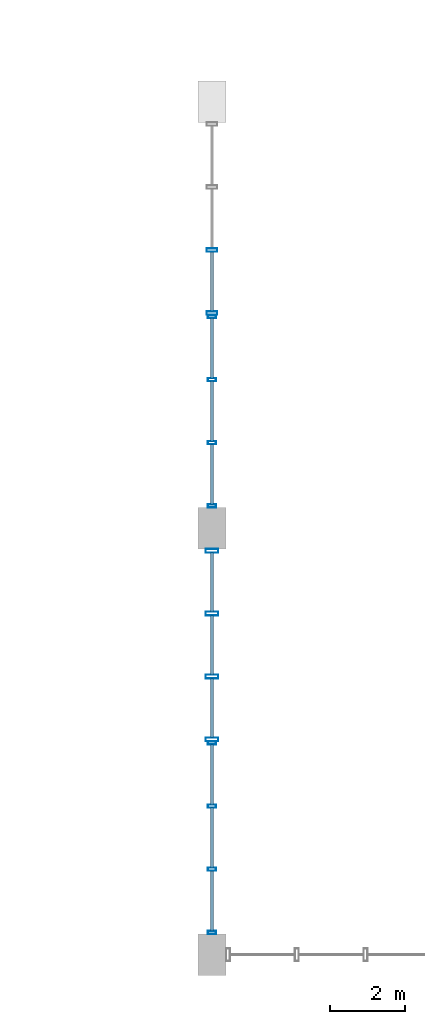
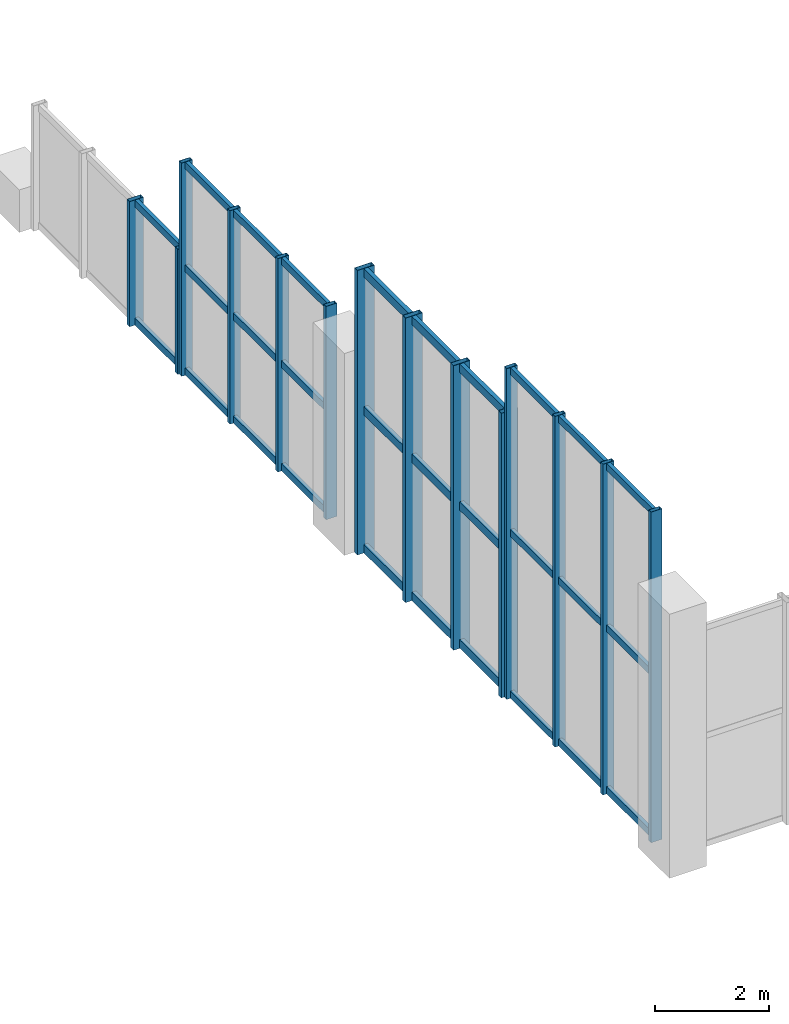
# One storey, part 4 of 28: 43 members, 4 elements without a shape of their own.
"""IFC4 building model written with IfcOpenShell, lengths in metres."""

from ifc_helpers import new_model, si_unit, direction, frame, origin, origin_2d, place, context, subcontext, project, spatial, hollow_rectangle, extrude, material, layer, layer_set, material_profile, profile_set, type_object, element, aggregate, save


model = new_model("IFC4")

# Units and contexts
model_context = context("Model", 3, precision=1e-05, world=origin(), true_north=direction((0.0, 1.0)))
body_context = subcontext(model_context, "Body", "Model", "MODEL_VIEW")
ifc_project = project(units=[si_unit("LENGTHUNIT", "METRE"), si_unit("AREAUNIT", "SQUARE_METRE"), si_unit("VOLUMEUNIT", "CUBIC_METRE"), si_unit("PLANEANGLEUNIT", "RADIAN"), si_unit("MASSUNIT", "GRAM", prefix="KILO"), si_unit("POWERUNIT", "WATT"), si_unit("THERMODYNAMICTEMPERATUREUNIT", "KELVIN")], contexts=[model_context])

# Site, building, storey
site_placement = place(None, origin())
site = spatial("IfcSite", under=ifc_project, at=site_placement, CompositionType="ELEMENT")
building_placement = place(site_placement, origin())
building = spatial("IfcBuilding", under=site, at=building_placement, Name="Kelmbourne Parkland Aquatics Centre", CompositionType="ELEMENT")
storey_placement = place(building_placement, frame((0.0, 0.0, 19.199951171875)))
storey = spatial("IfcBuildingStorey", under=building, at=storey_placement, Name="L04", CompositionType="ELEMENT", Elevation=19.199951171875)

# Curtain wall, members
ifc_material = material(Name="Thermally broken anodised aluminium framing", Category="aluminium")
ifc_layer_1 = layer(ifc_material, 0.179931640625)
ifc_layer_set_1 = layer_set([ifc_layer_1], Name="Thermally broken anodised aluminium framing")
curtain_wall_type_1 = type_object("IfcCurtainWallType", Name="CW-07", PredefinedType="NOTDEFINED", material=ifc_layer_set_1)
curtain_wall_1_placement = place(storey_placement, origin())
curtain_wall_1 = element("IfcCurtainWall", 1, at=curtain_wall_1_placement, inside=storey, type_object=curtain_wall_type_1, Name="Wave-hall clerestory curtain wall CW-L04-007", PredefinedType="NOTDEFINED")
ifc_material_profile_1 = material_profile(ifc_material, hollow_rectangle(XDim=0.0849609375, YDim=0.219970703125, WallThickness=0.0048828125, at=origin_2d()), Name="CW-M 85x220")
ifc_profile_set_1 = profile_set([ifc_material_profile_1], Name="Thermally broken anodised aluminium framing")
member_type_1 = type_object("IfcMemberType", Name="MB-MUL-3", PredefinedType="MULLION", material=ifc_profile_set_1)
member_1_placement = place(storey_placement, frame((128.0, 1.39453125, 0.0), z_axis=(0.0, 0.0, 1.0), x_axis=(0.0, 1.0, 0.0)))
member_1 = element("IfcMember", 2, at=member_1_placement, type_object=member_type_1, Name="CW-L04-007 mullion 0", PredefinedType="MULLION", context=body_context, shape_type="SweptSolid", body=[
    extrude(hollow_rectangle(XDim=0.0849609375, YDim=0.219970703125, WallThickness=0.0048828125, at=origin_2d()), origin(), (0.0, 0.0, 1.0), 7.07763671875),
])
member_2_placement = place(storey_placement, frame((128.0, 3.082275390625, 0.0), z_axis=(0.0, 0.0, 1.0), x_axis=(0.0, 1.0, 0.0)))
member_2 = element("IfcMember", 3, at=member_2_placement, type_object=member_type_1, Name="CW-L04-007 mullion 1", PredefinedType="MULLION", context=body_context, shape_type="SweptSolid", body=[
    extrude(hollow_rectangle(XDim=0.0849609375, YDim=0.219970703125, WallThickness=0.0048828125, at=origin_2d()), origin(), (0.0, 0.0, 1.0), 7.07763671875),
])
member_3_placement = place(storey_placement, frame((128.0, 4.769775390625, 0.0), z_axis=(0.0, 0.0, 1.0), x_axis=(0.0, 1.0, 0.0)))
member_3 = element("IfcMember", 4, at=member_3_placement, type_object=member_type_1, Name="CW-L04-007 mullion 2", PredefinedType="MULLION", context=body_context, shape_type="SweptSolid", body=[
    extrude(hollow_rectangle(XDim=0.0849609375, YDim=0.219970703125, WallThickness=0.0048828125, at=origin_2d()), origin(), (0.0, 0.0, 1.0), 7.07763671875),
])
member_4_placement = place(storey_placement, frame((128.0, 6.45751953125, 0.0), z_axis=(0.0, 0.0, 1.0), x_axis=(0.0, 1.0, 0.0)))
member_4 = element("IfcMember", 5, at=member_4_placement, type_object=member_type_1, Name="CW-L04-007 mullion 3", PredefinedType="MULLION", context=body_context, shape_type="SweptSolid", body=[
    extrude(hollow_rectangle(XDim=0.0849609375, YDim=0.219970703125, WallThickness=0.0048828125, at=origin_2d()), origin(), (0.0, 0.0, 1.0), 7.07763671875),
])

ifc_layer_2 = layer(ifc_material, 0.179931640625)
ifc_layer_set_2 = layer_set([ifc_layer_2], Name="Thermally broken anodised aluminium framing")
curtain_wall_type_2 = type_object("IfcCurtainWallType", Name="CW-22", PredefinedType="NOTDEFINED", material=ifc_layer_set_2)
curtain_wall_2_placement = place(storey_placement, origin())
curtain_wall_2 = element("IfcCurtainWall", 6, at=curtain_wall_2_placement, inside=storey, type_object=curtain_wall_type_2, Name="Wave-hall clerestory curtain wall CW-L04-022", PredefinedType="NOTDEFINED")
member_5_placement = place(storey_placement, frame((128.0, 12.79443359375, 0.0), z_axis=(0.0, 0.0, 1.0), x_axis=(0.0, 1.0, 0.0)))
member_5 = element("IfcMember", 7, at=member_5_placement, type_object=member_type_1, Name="CW-L04-022 mullion 0", PredefinedType="MULLION", context=body_context, shape_type="SweptSolid", body=[
    extrude(hollow_rectangle(XDim=0.0849609375, YDim=0.219970703125, WallThickness=0.0048828125, at=origin_2d()), origin(), (0.0, 0.0, 1.0), 4.5654296875),
])
member_6_placement = place(storey_placement, frame((128.0, 14.482177734375, 0.0), z_axis=(0.0, 0.0, 1.0), x_axis=(0.0, 1.0, 0.0)))
member_6 = element("IfcMember", 8, at=member_6_placement, type_object=member_type_1, Name="CW-L04-022 mullion 1", PredefinedType="MULLION", context=body_context, shape_type="SweptSolid", body=[
    extrude(hollow_rectangle(XDim=0.0849609375, YDim=0.219970703125, WallThickness=0.0048828125, at=origin_2d()), origin(), (0.0, 0.0, 1.0), 4.5654296875),
])
member_7_placement = place(storey_placement, frame((128.0, 16.169921875, 0.0), z_axis=(0.0, 0.0, 1.0), x_axis=(0.0, 1.0, 0.0)))
member_7 = element("IfcMember", 9, at=member_7_placement, type_object=member_type_1, Name="CW-L04-022 mullion 2", PredefinedType="MULLION", context=body_context, shape_type="SweptSolid", body=[
    extrude(hollow_rectangle(XDim=0.0849609375, YDim=0.219970703125, WallThickness=0.0048828125, at=origin_2d()), origin(), (0.0, 0.0, 1.0), 4.5654296875),
])
member_8_placement = place(storey_placement, frame((128.0, 17.857421875, 0.0), z_axis=(0.0, 0.0, 1.0), x_axis=(0.0, 1.0, 0.0)))
member_8 = element("IfcMember", 10, at=member_8_placement, type_object=member_type_1, Name="CW-L04-022 mullion 3", PredefinedType="MULLION", context=body_context, shape_type="SweptSolid", body=[
    extrude(hollow_rectangle(XDim=0.0849609375, YDim=0.219970703125, WallThickness=0.0048828125, at=origin_2d()), origin(), (0.0, 0.0, 1.0), 4.5654296875),
])

ifc_layer_3 = layer(ifc_material, 0.179931640625)
ifc_layer_set_3 = layer_set([ifc_layer_3], Name="Thermally broken anodised aluminium framing")
curtain_wall_type_3 = type_object("IfcCurtainWallType", Name="CW-04", PredefinedType="NOTDEFINED", material=ifc_layer_set_3)
curtain_wall_3_placement = place(storey_placement, origin())
curtain_wall_3 = element("IfcCurtainWall", 11, at=curtain_wall_3_placement, inside=storey, type_object=curtain_wall_type_3, Name="Wave-hall clerestory curtain wall CW-L04-028", PredefinedType="NOTDEFINED")
ifc_material_profile_2 = material_profile(ifc_material, hollow_rectangle(XDim=0.094970703125, YDim=0.280029296875, WallThickness=0.005615234375, at=origin_2d()), Name="CW-M 95x280")
ifc_profile_set_2 = profile_set([ifc_material_profile_2], Name="Thermally broken anodised aluminium framing")
member_type_2 = type_object("IfcMemberType", Name="MB-MUL-4", PredefinedType="MULLION", material=ifc_profile_set_2)
member_9_placement = place(storey_placement, frame((128.0, 17.947509765625, 0.0), z_axis=(0.0, 0.0, 1.0), x_axis=(0.0, 1.0, 0.0)))
member_9 = element("IfcMember", 12, at=member_9_placement, type_object=member_type_2, Name="CW-L04-028 mullion 0", PredefinedType="MULLION", context=body_context, shape_type="SweptSolid", body=[
    extrude(hollow_rectangle(XDim=0.094970703125, YDim=0.280029296875, WallThickness=0.005615234375, at=origin_2d()), origin(), (0.0, 0.0, 1.0), 2.677490234375),
])
member_10_placement = place(storey_placement, frame((128.0, 19.6318359375, 0.0), z_axis=(0.0, 0.0, 1.0), x_axis=(0.0, 1.0, 0.0)))
member_10 = element("IfcMember", 13, at=member_10_placement, type_object=member_type_2, Name="CW-L04-028 mullion 1", PredefinedType="MULLION", context=body_context, shape_type="SweptSolid", body=[
    extrude(hollow_rectangle(XDim=0.094970703125, YDim=0.280029296875, WallThickness=0.005615234375, at=origin_2d()), origin(), (0.0, 0.0, 1.0), 2.677490234375),
])

ifc_layer_4 = layer(ifc_material, 0.179931640625)
ifc_layer_set_4 = layer_set([ifc_layer_4], Name="Thermally broken anodised aluminium framing")
curtain_wall_type_4 = type_object("IfcCurtainWallType", Name="CW-14", PredefinedType="NOTDEFINED", material=ifc_layer_set_4)
curtain_wall_4_placement = place(storey_placement, origin())
curtain_wall_4 = element("IfcCurtainWall", 14, at=curtain_wall_4_placement, inside=storey, type_object=curtain_wall_type_4, Name="Wave-hall clerestory curtain wall CW-L04-014", PredefinedType="NOTDEFINED")
ifc_material_profile_3 = material_profile(ifc_material, hollow_rectangle(XDim=0.10498046875, YDim=0.340087890625, WallThickness=0.006103515625, at=origin_2d()), Name="CW-M 105x340")
ifc_profile_set_3 = profile_set([ifc_material_profile_3], Name="Thermally broken anodised aluminium framing")
member_type_3 = type_object("IfcMemberType", Name="MB-MUL-5", PredefinedType="MULLION", material=ifc_profile_set_3)
member_11_placement = place(storey_placement, frame((128.0, 6.552490234375, 0.0), z_axis=(0.0, 0.0, 1.0), x_axis=(0.0, 1.0, 0.0)))
member_11 = element("IfcMember", 15, at=member_11_placement, type_object=member_type_3, Name="CW-L04-014 mullion 0", PredefinedType="MULLION", context=body_context, shape_type="SweptSolid", body=[
    extrude(hollow_rectangle(XDim=0.10498046875, YDim=0.340087890625, WallThickness=0.006103515625, at=origin_2d()), origin(), (0.0, 0.0, 1.0), 6.08935546875),
])
member_12_placement = place(storey_placement, frame((128.0, 8.2333984375, 0.0), z_axis=(0.0, 0.0, 1.0), x_axis=(0.0, 1.0, 0.0)))
member_12 = element("IfcMember", 16, at=member_12_placement, type_object=member_type_3, Name="CW-L04-014 mullion 1", PredefinedType="MULLION", context=body_context, shape_type="SweptSolid", body=[
    extrude(hollow_rectangle(XDim=0.10498046875, YDim=0.340087890625, WallThickness=0.006103515625, at=origin_2d()), origin(), (0.0, 0.0, 1.0), 6.08935546875),
])
member_13_placement = place(storey_placement, frame((128.0, 9.91455078125, 0.0), z_axis=(0.0, 0.0, 1.0), x_axis=(0.0, 1.0, 0.0)))
member_13 = element("IfcMember", 17, at=member_13_placement, type_object=member_type_3, Name="CW-L04-014 mullion 2", PredefinedType="MULLION", context=body_context, shape_type="SweptSolid", body=[
    extrude(hollow_rectangle(XDim=0.10498046875, YDim=0.340087890625, WallThickness=0.006103515625, at=origin_2d()), origin(), (0.0, 0.0, 1.0), 6.08935546875),
])
member_14_placement = place(storey_placement, frame((128.0, 11.595458984375, 0.0), z_axis=(0.0, 0.0, 1.0), x_axis=(0.0, 1.0, 0.0)))
member_14 = element("IfcMember", 18, at=member_14_placement, type_object=member_type_3, Name="CW-L04-014 mullion 3", PredefinedType="MULLION", context=body_context, shape_type="SweptSolid", body=[
    extrude(hollow_rectangle(XDim=0.10498046875, YDim=0.340087890625, WallThickness=0.006103515625, at=origin_2d()), origin(), (0.0, 0.0, 1.0), 6.08935546875),
])

# Member
ifc_material_profile_4 = material_profile(ifc_material, hollow_rectangle(XDim=0.074951171875, YDim=0.14990234375, WallThickness=0.00390625, at=origin_2d()), Name="CW-T 75x150")
ifc_profile_set_4 = profile_set([ifc_material_profile_4], Name="Thermally broken anodised aluminium framing")
member_type_4 = type_object("IfcMemberType", Name="MB-TRN-2", PredefinedType="USERDEFINED", material=ifc_profile_set_4)
member_15_placement = place(storey_placement, frame((128.0, 1.43310546875, 0.078125), z_axis=(0.0, 1.0, 0.0), x_axis=(-1.0, 0.0, 0.0)))
member_15 = element("IfcMember", 19, at=member_15_placement, type_object=member_type_4, Name="CW-L04-007 transom 0-0", ObjectType="TRANSOM", PredefinedType="USERDEFINED", context=body_context, shape_type="SweptSolid", body=[
    extrude(hollow_rectangle(XDim=0.074951171875, YDim=0.14990234375, WallThickness=0.00390625, at=origin_2d()), origin(), (0.0, 0.0, 1.0), 1.610595703125),
])

member_16_placement = place(storey_placement, frame((128.0, 3.12060546875, 0.078125), z_axis=(0.0, 1.0, 0.0), x_axis=(-1.0, 0.0, 0.0)))
member_16 = element("IfcMember", 20, at=member_16_placement, type_object=member_type_4, Name="CW-L04-007 transom 0-1", ObjectType="TRANSOM", PredefinedType="USERDEFINED", context=body_context, shape_type="SweptSolid", body=[
    extrude(hollow_rectangle(XDim=0.074951171875, YDim=0.14990234375, WallThickness=0.00390625, at=origin_2d()), origin(), (0.0, 0.0, 1.0), 1.610595703125),
])

member_17_placement = place(storey_placement, frame((128.0, 4.808349609375, 0.078125), z_axis=(0.0, 1.0, 0.0), x_axis=(-1.0, 0.0, 0.0)))
member_17 = element("IfcMember", 21, at=member_17_placement, type_object=member_type_4, Name="CW-L04-007 transom 0-2", ObjectType="TRANSOM", PredefinedType="USERDEFINED", context=body_context, shape_type="SweptSolid", body=[
    extrude(hollow_rectangle(XDim=0.074951171875, YDim=0.14990234375, WallThickness=0.00390625, at=origin_2d()), origin(), (0.0, 0.0, 1.0), 1.610595703125),
])

member_18_placement = place(storey_placement, frame((128.0, 1.43310546875, 3.538818359375), z_axis=(0.0, 1.0, 0.0), x_axis=(-1.0, 0.0, 0.0)))
member_18 = element("IfcMember", 22, at=member_18_placement, type_object=member_type_4, Name="CW-L04-007 transom 1-0", ObjectType="TRANSOM", PredefinedType="USERDEFINED", context=body_context, shape_type="SweptSolid", body=[
    extrude(hollow_rectangle(XDim=0.074951171875, YDim=0.14990234375, WallThickness=0.00390625, at=origin_2d()), origin(), (0.0, 0.0, 1.0), 1.610595703125),
])

member_19_placement = place(storey_placement, frame((128.0, 3.12060546875, 3.538818359375), z_axis=(0.0, 1.0, 0.0), x_axis=(-1.0, 0.0, 0.0)))
member_19 = element("IfcMember", 23, at=member_19_placement, type_object=member_type_4, Name="CW-L04-007 transom 1-1", ObjectType="TRANSOM", PredefinedType="USERDEFINED", context=body_context, shape_type="SweptSolid", body=[
    extrude(hollow_rectangle(XDim=0.074951171875, YDim=0.14990234375, WallThickness=0.00390625, at=origin_2d()), origin(), (0.0, 0.0, 1.0), 1.610595703125),
])

member_20_placement = place(storey_placement, frame((128.0, 4.808349609375, 3.538818359375), z_axis=(0.0, 1.0, 0.0), x_axis=(-1.0, 0.0, 0.0)))
member_20 = element("IfcMember", 24, at=member_20_placement, type_object=member_type_4, Name="CW-L04-007 transom 1-2", ObjectType="TRANSOM", PredefinedType="USERDEFINED", context=body_context, shape_type="SweptSolid", body=[
    extrude(hollow_rectangle(XDim=0.074951171875, YDim=0.14990234375, WallThickness=0.00390625, at=origin_2d()), origin(), (0.0, 0.0, 1.0), 1.610595703125),
])

member_21_placement = place(storey_placement, frame((128.0, 1.43310546875, 6.999755859375), z_axis=(0.0, 1.0, 0.0), x_axis=(-1.0, 0.0, 0.0)))
member_21 = element("IfcMember", 25, at=member_21_placement, type_object=member_type_4, Name="CW-L04-007 transom 2-0", ObjectType="TRANSOM", PredefinedType="USERDEFINED", context=body_context, shape_type="SweptSolid", body=[
    extrude(hollow_rectangle(XDim=0.074951171875, YDim=0.14990234375, WallThickness=0.00390625, at=origin_2d()), origin(), (0.0, 0.0, 1.0), 1.610595703125),
])

member_22_placement = place(storey_placement, frame((128.0, 3.12060546875, 6.999755859375), z_axis=(0.0, 1.0, 0.0), x_axis=(-1.0, 0.0, 0.0)))
member_22 = element("IfcMember", 26, at=member_22_placement, type_object=member_type_4, Name="CW-L04-007 transom 2-1", ObjectType="TRANSOM", PredefinedType="USERDEFINED", context=body_context, shape_type="SweptSolid", body=[
    extrude(hollow_rectangle(XDim=0.074951171875, YDim=0.14990234375, WallThickness=0.00390625, at=origin_2d()), origin(), (0.0, 0.0, 1.0), 1.610595703125),
])

member_23_placement = place(storey_placement, frame((128.0, 4.808349609375, 6.999755859375), z_axis=(0.0, 1.0, 0.0), x_axis=(-1.0, 0.0, 0.0)))
member_23 = element("IfcMember", 27, at=member_23_placement, type_object=member_type_4, Name="CW-L04-007 transom 2-2", ObjectType="TRANSOM", PredefinedType="USERDEFINED", context=body_context, shape_type="SweptSolid", body=[
    extrude(hollow_rectangle(XDim=0.074951171875, YDim=0.14990234375, WallThickness=0.00390625, at=origin_2d()), origin(), (0.0, 0.0, 1.0), 1.610595703125),
])

aggregate(curtain_wall_1, [member_1, member_2, member_3, member_4, member_15, member_16, member_17, member_18, member_19, member_20, member_21, member_22, member_23])

member_24_placement = place(storey_placement, frame((128.0, 12.8330078125, 0.078125), z_axis=(0.0, 1.0, 0.0), x_axis=(-1.0, 0.0, 0.0)))
member_24 = element("IfcMember", 28, at=member_24_placement, type_object=member_type_4, Name="CW-L04-022 transom 0-0", ObjectType="TRANSOM", PredefinedType="USERDEFINED", context=body_context, shape_type="SweptSolid", body=[
    extrude(hollow_rectangle(XDim=0.074951171875, YDim=0.14990234375, WallThickness=0.00390625, at=origin_2d()), origin(), (0.0, 0.0, 1.0), 1.610595703125),
])

member_25_placement = place(storey_placement, frame((128.0, 14.520751953125, 0.078125), z_axis=(0.0, 1.0, 0.0), x_axis=(-1.0, 0.0, 0.0)))
member_25 = element("IfcMember", 29, at=member_25_placement, type_object=member_type_4, Name="CW-L04-022 transom 0-1", ObjectType="TRANSOM", PredefinedType="USERDEFINED", context=body_context, shape_type="SweptSolid", body=[
    extrude(hollow_rectangle(XDim=0.074951171875, YDim=0.14990234375, WallThickness=0.00390625, at=origin_2d()), origin(), (0.0, 0.0, 1.0), 1.610595703125),
])

member_26_placement = place(storey_placement, frame((128.0, 16.208251953125, 0.078125), z_axis=(0.0, 1.0, 0.0), x_axis=(-1.0, 0.0, 0.0)))
member_26 = element("IfcMember", 30, at=member_26_placement, type_object=member_type_4, Name="CW-L04-022 transom 0-2", ObjectType="TRANSOM", PredefinedType="USERDEFINED", context=body_context, shape_type="SweptSolid", body=[
    extrude(hollow_rectangle(XDim=0.074951171875, YDim=0.14990234375, WallThickness=0.00390625, at=origin_2d()), origin(), (0.0, 0.0, 1.0), 1.61083984375),
])

member_27_placement = place(storey_placement, frame((128.0, 12.8330078125, 2.28271484375), z_axis=(0.0, 1.0, 0.0), x_axis=(-1.0, 0.0, 0.0)))
member_27 = element("IfcMember", 31, at=member_27_placement, type_object=member_type_4, Name="CW-L04-022 transom 1-0", ObjectType="TRANSOM", PredefinedType="USERDEFINED", context=body_context, shape_type="SweptSolid", body=[
    extrude(hollow_rectangle(XDim=0.074951171875, YDim=0.14990234375, WallThickness=0.00390625, at=origin_2d()), origin(), (0.0, 0.0, 1.0), 1.610595703125),
])

member_28_placement = place(storey_placement, frame((128.0, 14.520751953125, 2.28271484375), z_axis=(0.0, 1.0, 0.0), x_axis=(-1.0, 0.0, 0.0)))
member_28 = element("IfcMember", 32, at=member_28_placement, type_object=member_type_4, Name="CW-L04-022 transom 1-1", ObjectType="TRANSOM", PredefinedType="USERDEFINED", context=body_context, shape_type="SweptSolid", body=[
    extrude(hollow_rectangle(XDim=0.074951171875, YDim=0.14990234375, WallThickness=0.00390625, at=origin_2d()), origin(), (0.0, 0.0, 1.0), 1.610595703125),
])

member_29_placement = place(storey_placement, frame((128.0, 16.208251953125, 2.28271484375), z_axis=(0.0, 1.0, 0.0), x_axis=(-1.0, 0.0, 0.0)))
member_29 = element("IfcMember", 33, at=member_29_placement, type_object=member_type_4, Name="CW-L04-022 transom 1-2", ObjectType="TRANSOM", PredefinedType="USERDEFINED", context=body_context, shape_type="SweptSolid", body=[
    extrude(hollow_rectangle(XDim=0.074951171875, YDim=0.14990234375, WallThickness=0.00390625, at=origin_2d()), origin(), (0.0, 0.0, 1.0), 1.61083984375),
])

member_30_placement = place(storey_placement, frame((128.0, 12.8330078125, 4.487548828125), z_axis=(0.0, 1.0, 0.0), x_axis=(-1.0, 0.0, 0.0)))
member_30 = element("IfcMember", 34, at=member_30_placement, type_object=member_type_4, Name="CW-L04-022 transom 2-0", ObjectType="TRANSOM", PredefinedType="USERDEFINED", context=body_context, shape_type="SweptSolid", body=[
    extrude(hollow_rectangle(XDim=0.074951171875, YDim=0.14990234375, WallThickness=0.00390625, at=origin_2d()), origin(), (0.0, 0.0, 1.0), 1.610595703125),
])

member_31_placement = place(storey_placement, frame((128.0, 14.520751953125, 4.487548828125), z_axis=(0.0, 1.0, 0.0), x_axis=(-1.0, 0.0, 0.0)))
member_31 = element("IfcMember", 35, at=member_31_placement, type_object=member_type_4, Name="CW-L04-022 transom 2-1", ObjectType="TRANSOM", PredefinedType="USERDEFINED", context=body_context, shape_type="SweptSolid", body=[
    extrude(hollow_rectangle(XDim=0.074951171875, YDim=0.14990234375, WallThickness=0.00390625, at=origin_2d()), origin(), (0.0, 0.0, 1.0), 1.610595703125),
])

member_32_placement = place(storey_placement, frame((128.0, 16.208251953125, 4.487548828125), z_axis=(0.0, 1.0, 0.0), x_axis=(-1.0, 0.0, 0.0)))
member_32 = element("IfcMember", 36, at=member_32_placement, type_object=member_type_4, Name="CW-L04-022 transom 2-2", ObjectType="TRANSOM", PredefinedType="USERDEFINED", context=body_context, shape_type="SweptSolid", body=[
    extrude(hollow_rectangle(XDim=0.074951171875, YDim=0.14990234375, WallThickness=0.00390625, at=origin_2d()), origin(), (0.0, 0.0, 1.0), 1.61083984375),
])

aggregate(curtain_wall_2, [member_5, member_6, member_7, member_8, member_24, member_25, member_26, member_27, member_28, member_29, member_30, member_31, member_32])

member_33_placement = place(storey_placement, frame((128.0, 17.990966796875, 0.078125), z_axis=(0.0, 1.0, 0.0), x_axis=(-1.0, 0.0, 0.0)))
member_33 = element("IfcMember", 37, at=member_33_placement, type_object=member_type_4, Name="CW-L04-028 transom 0-0", ObjectType="TRANSOM", PredefinedType="USERDEFINED", context=body_context, shape_type="SweptSolid", body=[
    extrude(hollow_rectangle(XDim=0.074951171875, YDim=0.14990234375, WallThickness=0.00390625, at=origin_2d()), origin(), (0.0, 0.0, 1.0), 1.597412109375),
])

member_34_placement = place(storey_placement, frame((128.0, 17.990966796875, 2.599365234375), z_axis=(0.0, 1.0, 0.0), x_axis=(-1.0, 0.0, 0.0)))
member_34 = element("IfcMember", 38, at=member_34_placement, type_object=member_type_4, Name="CW-L04-028 transom 1-0", ObjectType="TRANSOM", PredefinedType="USERDEFINED", context=body_context, shape_type="SweptSolid", body=[
    extrude(hollow_rectangle(XDim=0.074951171875, YDim=0.14990234375, WallThickness=0.00390625, at=origin_2d()), origin(), (0.0, 0.0, 1.0), 1.597412109375),
])

aggregate(curtain_wall_3, [member_9, member_10, member_33, member_34])

ifc_material_profile_5 = material_profile(ifc_material, hollow_rectangle(XDim=0.0849609375, YDim=0.179931640625, WallThickness=0.00439453125, at=origin_2d()), Name="CW-T 85x180")
ifc_profile_set_5 = profile_set([ifc_material_profile_5], Name="Thermally broken anodised aluminium framing")
member_type_5 = type_object("IfcMemberType", Name="MB-TRN-3", PredefinedType="USERDEFINED", material=ifc_profile_set_5)
member_35_placement = place(storey_placement, frame((128.0, 6.60107421875, 0.093017578125), z_axis=(0.0, 1.0, 0.0), x_axis=(-1.0, 0.0, 0.0)))
member_35 = element("IfcMember", 39, at=member_35_placement, type_object=member_type_5, Name="CW-L04-014 transom 0-0", ObjectType="TRANSOM", PredefinedType="USERDEFINED", context=body_context, shape_type="SweptSolid", body=[
    extrude(hollow_rectangle(XDim=0.0849609375, YDim=0.179931640625, WallThickness=0.00439453125, at=origin_2d()), origin(), (0.0, 0.0, 1.0), 1.583984375),
])

member_36_placement = place(storey_placement, frame((128.0, 8.281982421875, 0.093017578125), z_axis=(0.0, 1.0, 0.0), x_axis=(-1.0, 0.0, 0.0)))
member_36 = element("IfcMember", 40, at=member_36_placement, type_object=member_type_5, Name="CW-L04-014 transom 0-1", ObjectType="TRANSOM", PredefinedType="USERDEFINED", context=body_context, shape_type="SweptSolid", body=[
    extrude(hollow_rectangle(XDim=0.0849609375, YDim=0.179931640625, WallThickness=0.00439453125, at=origin_2d()), origin(), (0.0, 0.0, 1.0), 1.583984375),
])

member_37_placement = place(storey_placement, frame((128.0, 9.962890625, 0.093017578125), z_axis=(0.0, 1.0, 0.0), x_axis=(-1.0, 0.0, 0.0)))
member_37 = element("IfcMember", 41, at=member_37_placement, type_object=member_type_5, Name="CW-L04-014 transom 0-2", ObjectType="TRANSOM", PredefinedType="USERDEFINED", context=body_context, shape_type="SweptSolid", body=[
    extrude(hollow_rectangle(XDim=0.0849609375, YDim=0.179931640625, WallThickness=0.00439453125, at=origin_2d()), origin(), (0.0, 0.0, 1.0), 1.584228515625),
])

member_38_placement = place(storey_placement, frame((128.0, 6.60107421875, 3.044677734375), z_axis=(0.0, 1.0, 0.0), x_axis=(-1.0, 0.0, 0.0)))
member_38 = element("IfcMember", 42, at=member_38_placement, type_object=member_type_5, Name="CW-L04-014 transom 1-0", ObjectType="TRANSOM", PredefinedType="USERDEFINED", context=body_context, shape_type="SweptSolid", body=[
    extrude(hollow_rectangle(XDim=0.0849609375, YDim=0.179931640625, WallThickness=0.00439453125, at=origin_2d()), origin(), (0.0, 0.0, 1.0), 1.583984375),
])

member_39_placement = place(storey_placement, frame((128.0, 8.281982421875, 3.044677734375), z_axis=(0.0, 1.0, 0.0), x_axis=(-1.0, 0.0, 0.0)))
member_39 = element("IfcMember", 43, at=member_39_placement, type_object=member_type_5, Name="CW-L04-014 transom 1-1", ObjectType="TRANSOM", PredefinedType="USERDEFINED", context=body_context, shape_type="SweptSolid", body=[
    extrude(hollow_rectangle(XDim=0.0849609375, YDim=0.179931640625, WallThickness=0.00439453125, at=origin_2d()), origin(), (0.0, 0.0, 1.0), 1.583984375),
])

member_40_placement = place(storey_placement, frame((128.0, 9.962890625, 3.044677734375), z_axis=(0.0, 1.0, 0.0), x_axis=(-1.0, 0.0, 0.0)))
member_40 = element("IfcMember", 44, at=member_40_placement, type_object=member_type_5, Name="CW-L04-014 transom 1-2", ObjectType="TRANSOM", PredefinedType="USERDEFINED", context=body_context, shape_type="SweptSolid", body=[
    extrude(hollow_rectangle(XDim=0.0849609375, YDim=0.179931640625, WallThickness=0.00439453125, at=origin_2d()), origin(), (0.0, 0.0, 1.0), 1.584228515625),
])

member_41_placement = place(storey_placement, frame((128.0, 6.60107421875, 5.996337890625), z_axis=(0.0, 1.0, 0.0), x_axis=(-1.0, 0.0, 0.0)))
member_41 = element("IfcMember", 45, at=member_41_placement, type_object=member_type_5, Name="CW-L04-014 transom 2-0", ObjectType="TRANSOM", PredefinedType="USERDEFINED", context=body_context, shape_type="SweptSolid", body=[
    extrude(hollow_rectangle(XDim=0.0849609375, YDim=0.179931640625, WallThickness=0.00439453125, at=origin_2d()), origin(), (0.0, 0.0, 1.0), 1.583984375),
])

member_42_placement = place(storey_placement, frame((128.0, 8.281982421875, 5.996337890625), z_axis=(0.0, 1.0, 0.0), x_axis=(-1.0, 0.0, 0.0)))
member_42 = element("IfcMember", 46, at=member_42_placement, type_object=member_type_5, Name="CW-L04-014 transom 2-1", ObjectType="TRANSOM", PredefinedType="USERDEFINED", context=body_context, shape_type="SweptSolid", body=[
    extrude(hollow_rectangle(XDim=0.0849609375, YDim=0.179931640625, WallThickness=0.00439453125, at=origin_2d()), origin(), (0.0, 0.0, 1.0), 1.583984375),
])

member_43_placement = place(storey_placement, frame((128.0, 9.962890625, 5.996337890625), z_axis=(0.0, 1.0, 0.0), x_axis=(-1.0, 0.0, 0.0)))
member_43 = element("IfcMember", 47, at=member_43_placement, type_object=member_type_5, Name="CW-L04-014 transom 2-2", ObjectType="TRANSOM", PredefinedType="USERDEFINED", context=body_context, shape_type="SweptSolid", body=[
    extrude(hollow_rectangle(XDim=0.0849609375, YDim=0.179931640625, WallThickness=0.00439453125, at=origin_2d()), origin(), (0.0, 0.0, 1.0), 1.584228515625),
])

aggregate(curtain_wall_4, [member_11, member_12, member_13, member_14, member_35, member_36, member_37, member_38, member_39, member_40, member_41, member_42, member_43])

save(model, "model.ifc")
